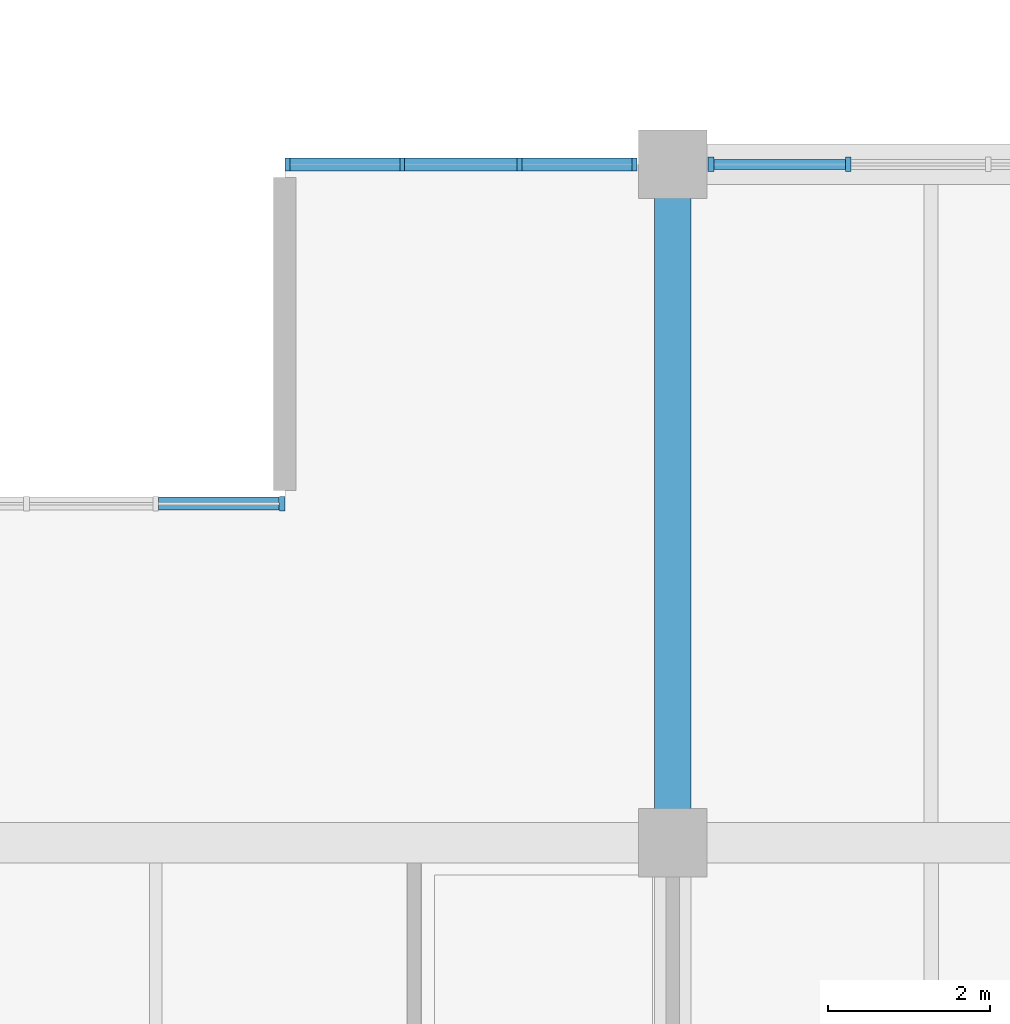
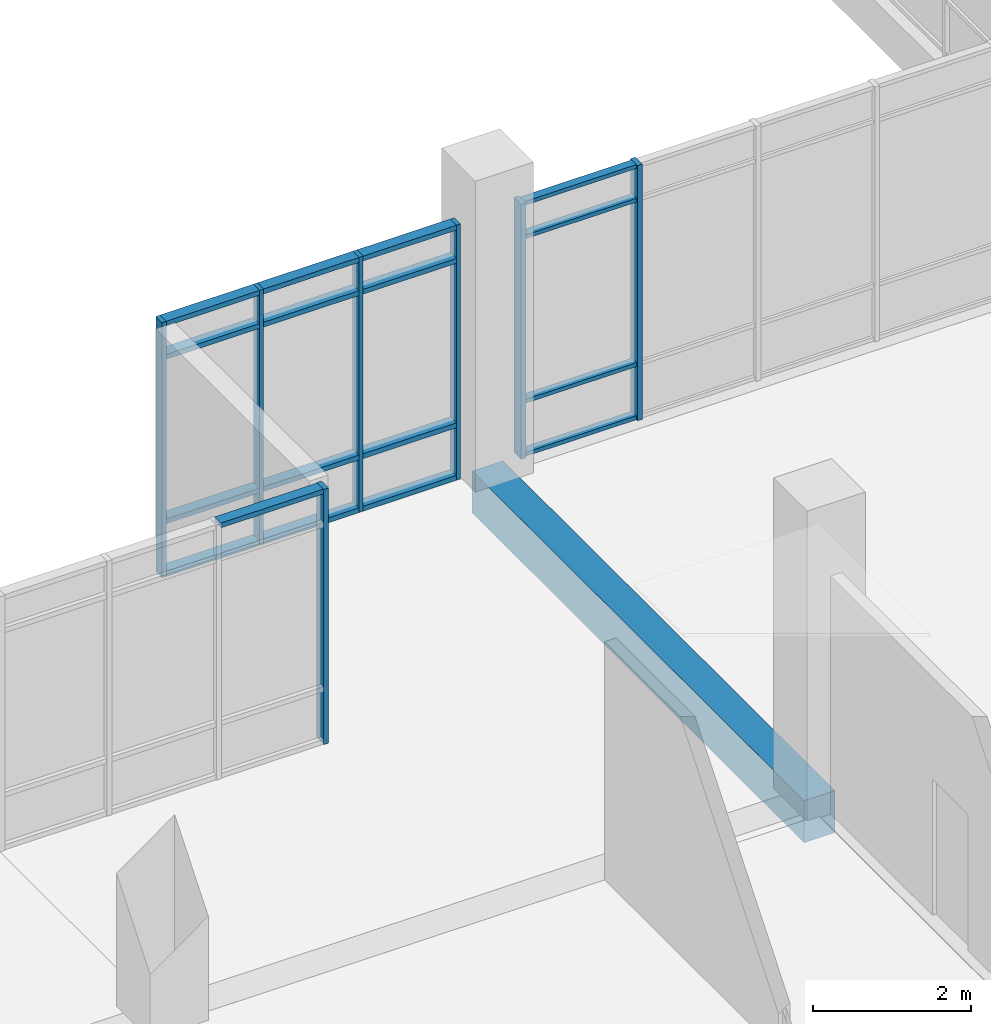
# One storey, part 41 of 152: 24 members, 1 beam, 3 elements without a shape of their own.
"""IFC4 building model written with IfcOpenShell, lengths in metres."""

from ifc_helpers import new_model, si_unit, direction, frame, origin, origin_2d, place, context, subcontext, project, spatial, rectangle, extrude, material, material_profile, profile_set, type_object, element, aggregate, save


model = new_model("IFC4")

# Units and contexts
model_context = context("Model", 3, precision=1e-05, world=origin(), true_north=direction((0.0, 1.0)))
body_context = subcontext(model_context, "Body", "Model", "MODEL_VIEW")
ifc_project = project(units=[si_unit("LENGTHUNIT", "METRE"), si_unit("AREAUNIT", "SQUARE_METRE"), si_unit("VOLUMEUNIT", "CUBIC_METRE"), si_unit("PLANEANGLEUNIT", "RADIAN"), si_unit("MASSUNIT", "GRAM", prefix="KILO")], contexts=[model_context])

# Site, building, storey
site_placement = place(None, origin())
site = spatial("IfcSite", under=ifc_project, at=site_placement, CompositionType="ELEMENT")
building_placement = place(site_placement, origin())
building = spatial("IfcBuilding", under=site, at=building_placement, Name="Oolite Switchyard Hospital", CompositionType="ELEMENT")
storey_placement = place(building_placement, frame((0.0, 0.0, 5.10009765625)))
storey = spatial("IfcBuildingStorey", under=building, at=storey_placement, Name="L01", CompositionType="ELEMENT", Elevation=5.10009765625)

# Beam
ifc_material_1 = material(Name="Concrete C40/50", Category="concrete")
ifc_material_profile_1 = material_profile(ifc_material_1, rectangle(XDim=0.449951171875, YDim=0.64990234375, at=origin_2d()), Name="RCB450X650")
ifc_profile_set_1 = profile_set([ifc_material_profile_1], Name="Concrete C40/50")
beam_type = type_object("IfcBeamType", Name="BM-RC450X650", PredefinedType="BEAM", material=ifc_profile_set_1)
beam_placement = place(storey_placement, frame((124.800048828125, 100.800048828125, -0.3251953125), z_axis=(0.0, 1.0, 0.0), x_axis=(-1.0, 0.0, 0.0)))
element("IfcBeam", 1, at=beam_placement, inside=storey, type_object=beam_type, Name="L01 Y-Girder 443", PredefinedType="BEAM", context=body_context, shape_type="SweptSolid", body=[
    extrude(rectangle(XDim=0.449951171875, YDim=0.64990234375, at=origin_2d()), origin(), (0.0, 0.0, 1.0), 8.39990234375),
])

# Curtain wall, members
ifc_material_2 = material(Name="Thermally broken aluminum frame with laminated impact glazing", Category="aluminium")
curtain_wall_type_1 = type_object("IfcCurtainWallType", Name="CW-UNIT-84X48", PredefinedType="USERDEFINED", material=ifc_material_2)
curtain_wall_1_placement = place(storey_placement, origin())
curtain_wall_1 = element("IfcCurtainWall", 2, at=curtain_wall_1_placement, inside=storey, type_object=curtain_wall_type_1, Name="L01 Unitised Curtain Wall 149", ObjectType="UNITISED", PredefinedType="USERDEFINED")
ifc_material_3 = material(Name="Aluminium 6063-T6", Category="aluminium")
ifc_material_profile_2 = material_profile(ifc_material_3, rectangle(XDim=0.159912109375, YDim=0.06005859375, at=origin_2d()), Name="CWM60X160")
ifc_profile_set_2 = profile_set([ifc_material_profile_2], Name="Aluminium 6063-T6")
member_type_1 = type_object("IfcMemberType", Name="CW-MUL-180", PredefinedType="MULLION", material=ifc_profile_set_2)
member_1_placement = place(storey_placement, frame((120.030029296875, 109.199951171875, 0.0), z_axis=(0.0, 0.0, 1.0), x_axis=(0.0, 1.0, 0.0)))
member_1 = element("IfcMember", 3, at=member_1_placement, type_object=member_type_1, Name="CW-07 mullion 1", PredefinedType="MULLION", context=body_context, shape_type="SweptSolid", body=[
    extrude(rectangle(XDim=0.159912109375, YDim=0.06005859375, at=origin_2d()), origin(), (0.0, 0.0, 1.0), 3.93994140625),
])
member_2_placement = place(storey_placement, frame((121.453369140625, 109.199951171875, 0.0), z_axis=(0.0, 0.0, 1.0), x_axis=(0.0, 1.0, 0.0)))
member_2 = element("IfcMember", 4, at=member_2_placement, type_object=member_type_1, Name="CW-07 mullion 2", PredefinedType="MULLION", context=body_context, shape_type="SweptSolid", body=[
    extrude(rectangle(XDim=0.159912109375, YDim=0.06005859375, at=origin_2d()), origin(), (0.0, 0.0, 1.0), 3.93994140625),
])
member_3_placement = place(storey_placement, frame((122.90673828125, 109.199951171875, 0.0), z_axis=(0.0, 0.0, 1.0), x_axis=(0.0, 1.0, 0.0)))
member_3 = element("IfcMember", 5, at=member_3_placement, type_object=member_type_1, Name="CW-07 mullion 3", PredefinedType="MULLION", context=body_context, shape_type="SweptSolid", body=[
    extrude(rectangle(XDim=0.159912109375, YDim=0.06005859375, at=origin_2d()), origin(), (0.0, 0.0, 1.0), 3.93994140625),
])
member_4_placement = place(storey_placement, frame((124.330078125, 109.199951171875, 0.0), z_axis=(0.0, 0.0, 1.0), x_axis=(0.0, 1.0, 0.0)))
member_4 = element("IfcMember", 6, at=member_4_placement, type_object=member_type_1, Name="CW-07 mullion 4", PredefinedType="MULLION", context=body_context, shape_type="SweptSolid", body=[
    extrude(rectangle(XDim=0.159912109375, YDim=0.06005859375, at=origin_2d()), origin(), (0.0, 0.0, 1.0), 3.93994140625),
])

# Curtain wall, member
curtain_wall_2_placement = place(storey_placement, origin())
curtain_wall_2 = element("IfcCurtainWall", 7, at=curtain_wall_2_placement, inside=storey, type_object=curtain_wall_type_1, Name="L01 Unitised Curtain Wall 147", ObjectType="UNITISED", PredefinedType="USERDEFINED")
ifc_material_profile_3 = material_profile(ifc_material_3, rectangle(XDim=0.179931640625, YDim=0.070068359375, at=origin_2d()), Name="CWM70X180")
ifc_profile_set_3 = profile_set([ifc_material_profile_3], Name="Aluminium 6063-T6")
member_type_2 = type_object("IfcMemberType", Name="CW-MUL-220", PredefinedType="MULLION", material=ifc_profile_set_3)
member_5_placement = place(storey_placement, frame((119.965087890625, 105.0, 0.0), z_axis=(0.0, 0.0, 1.0), x_axis=(0.0, 1.0, 0.0)))
member_5 = element("IfcMember", 8, at=member_5_placement, type_object=member_type_2, Name="CW-07 mullion 4", PredefinedType="MULLION", context=body_context, shape_type="SweptSolid", body=[
    extrude(rectangle(XDim=0.179931640625, YDim=0.070068359375, at=origin_2d()), origin(), (0.0, 0.0, 1.0), 3.93994140625),
])

# Curtain wall, members
curtain_wall_type_2 = type_object("IfcCurtainWallType", Name="CW-UNIT-96X48", PredefinedType="USERDEFINED", material=ifc_material_2)
curtain_wall_3_placement = place(storey_placement, origin())
curtain_wall_3 = element("IfcCurtainWall", 9, at=curtain_wall_3_placement, inside=storey, type_object=curtain_wall_type_2, Name="L01 Unitised Curtain Wall 150", ObjectType="UNITISED", PredefinedType="USERDEFINED")
member_6_placement = place(storey_placement, frame((125.27490234375, 109.199951171875, 0.0), z_axis=(0.0, 0.0, 1.0), x_axis=(0.0, 1.0, 0.0)))
member_6 = element("IfcMember", 10, at=member_6_placement, type_object=member_type_2, Name="CW-02 mullion 1", PredefinedType="MULLION", context=body_context, shape_type="SweptSolid", body=[
    extrude(rectangle(XDim=0.179931640625, YDim=0.070068359375, at=origin_2d()), origin(), (0.0, 0.0, 1.0), 3.93994140625),
])
member_7_placement = place(storey_placement, frame((126.97412109375, 109.199951171875, 0.0), z_axis=(0.0, 0.0, 1.0), x_axis=(0.0, 1.0, 0.0)))
member_7 = element("IfcMember", 11, at=member_7_placement, type_object=member_type_2, Name="CW-02 mullion 2", PredefinedType="MULLION", context=body_context, shape_type="SweptSolid", body=[
    extrude(rectangle(XDim=0.179931640625, YDim=0.070068359375, at=origin_2d()), origin(), (0.0, 0.0, 1.0), 3.93994140625),
])
ifc_material_profile_4 = material_profile(ifc_material_3, rectangle(XDim=0.1201171875, YDim=0.06005859375, at=origin_2d()), Name="CWT60X120")
ifc_profile_set_4 = profile_set([ifc_material_profile_4], Name="Aluminium 6063-T6")
member_type_3 = type_object("IfcMemberType", Name="CW-TRN-150", PredefinedType="USERDEFINED", material=ifc_profile_set_4)
member_8_placement = place(storey_placement, frame((125.31005859375, 109.199951171875, 0.02978515625), z_axis=(1.0, 0.0, 0.0), x_axis=(0.0, 1.0, 0.0)))
member_8 = element("IfcMember", 12, at=member_8_placement, type_object=member_type_3, Name="CW-02 transom 1.1", ObjectType="TRANSOM", PredefinedType="USERDEFINED", context=body_context, shape_type="SweptSolid", body=[
    extrude(rectangle(XDim=0.1201171875, YDim=0.06005859375, at=origin_2d()), origin(), (0.0, 0.0, 1.0), 1.62890625),
])
member_9_placement = place(storey_placement, frame((125.31005859375, 109.199951171875, 0.849853515625), z_axis=(1.0, 0.0, 0.0), x_axis=(0.0, 1.0, 0.0)))
member_9 = element("IfcMember", 13, at=member_9_placement, type_object=member_type_3, Name="CW-02 transom 1.2", ObjectType="TRANSOM", PredefinedType="USERDEFINED", context=body_context, shape_type="SweptSolid", body=[
    extrude(rectangle(XDim=0.1201171875, YDim=0.06005859375, at=origin_2d()), origin(), (0.0, 0.0, 1.0), 1.62890625),
])
member_10_placement = place(storey_placement, frame((125.31005859375, 109.199951171875, 3.389892578125), z_axis=(1.0, 0.0, 0.0), x_axis=(0.0, 1.0, 0.0)))
member_10 = element("IfcMember", 14, at=member_10_placement, type_object=member_type_3, Name="CW-02 transom 1.3", ObjectType="TRANSOM", PredefinedType="USERDEFINED", context=body_context, shape_type="SweptSolid", body=[
    extrude(rectangle(XDim=0.1201171875, YDim=0.06005859375, at=origin_2d()), origin(), (0.0, 0.0, 1.0), 1.62890625),
])
member_11_placement = place(storey_placement, frame((125.31005859375, 109.199951171875, 3.909912109375), z_axis=(1.0, 0.0, 0.0), x_axis=(0.0, 1.0, 0.0)))
member_11 = element("IfcMember", 15, at=member_11_placement, type_object=member_type_3, Name="CW-02 transom 1.4", ObjectType="TRANSOM", PredefinedType="USERDEFINED", context=body_context, shape_type="SweptSolid", body=[
    extrude(rectangle(XDim=0.1201171875, YDim=0.06005859375, at=origin_2d()), origin(), (0.0, 0.0, 1.0), 1.62890625),
])
aggregate(curtain_wall_3, [member_6, member_7, member_8, member_9, member_10, member_11])

# Member
ifc_material_profile_5 = material_profile(ifc_material_3, rectangle(XDim=0.159912109375, YDim=0.074951171875, at=origin_2d()), Name="CWT75X160")
ifc_profile_set_5 = profile_set([ifc_material_profile_5], Name="Aluminium 6063-T6")
member_type_4 = type_object("IfcMemberType", Name="CW-TRN-180", PredefinedType="USERDEFINED", material=ifc_profile_set_5)
member_12_placement = place(storey_placement, frame((118.43505859375, 105.0, 3.90234375), z_axis=(1.0, 0.0, 0.0), x_axis=(0.0, 1.0, 0.0)))
member_12 = element("IfcMember", 16, at=member_12_placement, type_object=member_type_4, Name="CW-07 transom 3.4", ObjectType="TRANSOM", PredefinedType="USERDEFINED", context=body_context, shape_type="SweptSolid", body=[
    extrude(rectangle(XDim=0.159912109375, YDim=0.074951171875, at=origin_2d()), origin(), (0.0, 0.0, 1.0), 1.494873046875),
])

aggregate(curtain_wall_2, [member_5, member_12])

member_13_placement = place(storey_placement, frame((120.06005859375, 109.199951171875, 0.037353515625), z_axis=(1.0, 0.0, 0.0), x_axis=(0.0, 1.0, 0.0)))
member_13 = element("IfcMember", 17, at=member_13_placement, type_object=member_type_4, Name="CW-07 transom 1.1", ObjectType="TRANSOM", PredefinedType="USERDEFINED", context=body_context, shape_type="SweptSolid", body=[
    extrude(rectangle(XDim=0.159912109375, YDim=0.074951171875, at=origin_2d()), origin(), (0.0, 0.0, 1.0), 1.36328125),
])

member_14_placement = place(storey_placement, frame((120.06005859375, 109.199951171875, 0.849853515625), z_axis=(1.0, 0.0, 0.0), x_axis=(0.0, 1.0, 0.0)))
member_14 = element("IfcMember", 18, at=member_14_placement, type_object=member_type_4, Name="CW-07 transom 1.2", ObjectType="TRANSOM", PredefinedType="USERDEFINED", context=body_context, shape_type="SweptSolid", body=[
    extrude(rectangle(XDim=0.159912109375, YDim=0.074951171875, at=origin_2d()), origin(), (0.0, 0.0, 1.0), 1.36328125),
])

member_15_placement = place(storey_placement, frame((120.06005859375, 109.199951171875, 3.389892578125), z_axis=(1.0, 0.0, 0.0), x_axis=(0.0, 1.0, 0.0)))
member_15 = element("IfcMember", 19, at=member_15_placement, type_object=member_type_4, Name="CW-07 transom 1.3", ObjectType="TRANSOM", PredefinedType="USERDEFINED", context=body_context, shape_type="SweptSolid", body=[
    extrude(rectangle(XDim=0.159912109375, YDim=0.074951171875, at=origin_2d()), origin(), (0.0, 0.0, 1.0), 1.36328125),
])

member_16_placement = place(storey_placement, frame((120.06005859375, 109.199951171875, 3.90234375), z_axis=(1.0, 0.0, 0.0), x_axis=(0.0, 1.0, 0.0)))
member_16 = element("IfcMember", 20, at=member_16_placement, type_object=member_type_4, Name="CW-07 transom 1.4", ObjectType="TRANSOM", PredefinedType="USERDEFINED", context=body_context, shape_type="SweptSolid", body=[
    extrude(rectangle(XDim=0.159912109375, YDim=0.074951171875, at=origin_2d()), origin(), (0.0, 0.0, 1.0), 1.36328125),
])

member_17_placement = place(storey_placement, frame((121.4833984375, 109.199951171875, 0.037353515625), z_axis=(1.0, 0.0, 0.0), x_axis=(0.0, 1.0, 0.0)))
member_17 = element("IfcMember", 21, at=member_17_placement, type_object=member_type_4, Name="CW-07 transom 2.1", ObjectType="TRANSOM", PredefinedType="USERDEFINED", context=body_context, shape_type="SweptSolid", body=[
    extrude(rectangle(XDim=0.159912109375, YDim=0.074951171875, at=origin_2d()), origin(), (0.0, 0.0, 1.0), 1.393310546875),
])

member_18_placement = place(storey_placement, frame((121.4833984375, 109.199951171875, 0.849853515625), z_axis=(1.0, 0.0, 0.0), x_axis=(0.0, 1.0, 0.0)))
member_18 = element("IfcMember", 22, at=member_18_placement, type_object=member_type_4, Name="CW-07 transom 2.2", ObjectType="TRANSOM", PredefinedType="USERDEFINED", context=body_context, shape_type="SweptSolid", body=[
    extrude(rectangle(XDim=0.159912109375, YDim=0.074951171875, at=origin_2d()), origin(), (0.0, 0.0, 1.0), 1.393310546875),
])

member_19_placement = place(storey_placement, frame((121.4833984375, 109.199951171875, 3.389892578125), z_axis=(1.0, 0.0, 0.0), x_axis=(0.0, 1.0, 0.0)))
member_19 = element("IfcMember", 23, at=member_19_placement, type_object=member_type_4, Name="CW-07 transom 2.3", ObjectType="TRANSOM", PredefinedType="USERDEFINED", context=body_context, shape_type="SweptSolid", body=[
    extrude(rectangle(XDim=0.159912109375, YDim=0.074951171875, at=origin_2d()), origin(), (0.0, 0.0, 1.0), 1.393310546875),
])

member_20_placement = place(storey_placement, frame((121.4833984375, 109.199951171875, 3.90234375), z_axis=(1.0, 0.0, 0.0), x_axis=(0.0, 1.0, 0.0)))
member_20 = element("IfcMember", 24, at=member_20_placement, type_object=member_type_4, Name="CW-07 transom 2.4", ObjectType="TRANSOM", PredefinedType="USERDEFINED", context=body_context, shape_type="SweptSolid", body=[
    extrude(rectangle(XDim=0.159912109375, YDim=0.074951171875, at=origin_2d()), origin(), (0.0, 0.0, 1.0), 1.393310546875),
])

member_21_placement = place(storey_placement, frame((122.936767578125, 109.199951171875, 0.037353515625), z_axis=(1.0, 0.0, 0.0), x_axis=(0.0, 1.0, 0.0)))
member_21 = element("IfcMember", 25, at=member_21_placement, type_object=member_type_4, Name="CW-07 transom 3.1", ObjectType="TRANSOM", PredefinedType="USERDEFINED", context=body_context, shape_type="SweptSolid", body=[
    extrude(rectangle(XDim=0.159912109375, YDim=0.074951171875, at=origin_2d()), origin(), (0.0, 0.0, 1.0), 1.36328125),
])

member_22_placement = place(storey_placement, frame((122.936767578125, 109.199951171875, 0.849853515625), z_axis=(1.0, 0.0, 0.0), x_axis=(0.0, 1.0, 0.0)))
member_22 = element("IfcMember", 26, at=member_22_placement, type_object=member_type_4, Name="CW-07 transom 3.2", ObjectType="TRANSOM", PredefinedType="USERDEFINED", context=body_context, shape_type="SweptSolid", body=[
    extrude(rectangle(XDim=0.159912109375, YDim=0.074951171875, at=origin_2d()), origin(), (0.0, 0.0, 1.0), 1.36328125),
])

member_23_placement = place(storey_placement, frame((122.936767578125, 109.199951171875, 3.389892578125), z_axis=(1.0, 0.0, 0.0), x_axis=(0.0, 1.0, 0.0)))
member_23 = element("IfcMember", 27, at=member_23_placement, type_object=member_type_4, Name="CW-07 transom 3.3", ObjectType="TRANSOM", PredefinedType="USERDEFINED", context=body_context, shape_type="SweptSolid", body=[
    extrude(rectangle(XDim=0.159912109375, YDim=0.074951171875, at=origin_2d()), origin(), (0.0, 0.0, 1.0), 1.36328125),
])

member_24_placement = place(storey_placement, frame((122.936767578125, 109.199951171875, 3.90234375), z_axis=(1.0, 0.0, 0.0), x_axis=(0.0, 1.0, 0.0)))
member_24 = element("IfcMember", 28, at=member_24_placement, type_object=member_type_4, Name="CW-07 transom 3.4", ObjectType="TRANSOM", PredefinedType="USERDEFINED", context=body_context, shape_type="SweptSolid", body=[
    extrude(rectangle(XDim=0.159912109375, YDim=0.074951171875, at=origin_2d()), origin(), (0.0, 0.0, 1.0), 1.36328125),
])

aggregate(curtain_wall_1, [member_1, member_2, member_3, member_4, member_13, member_14, member_15, member_16, member_17, member_18, member_19, member_20, member_21, member_22, member_23, member_24])

save(model, "model.ifc")
